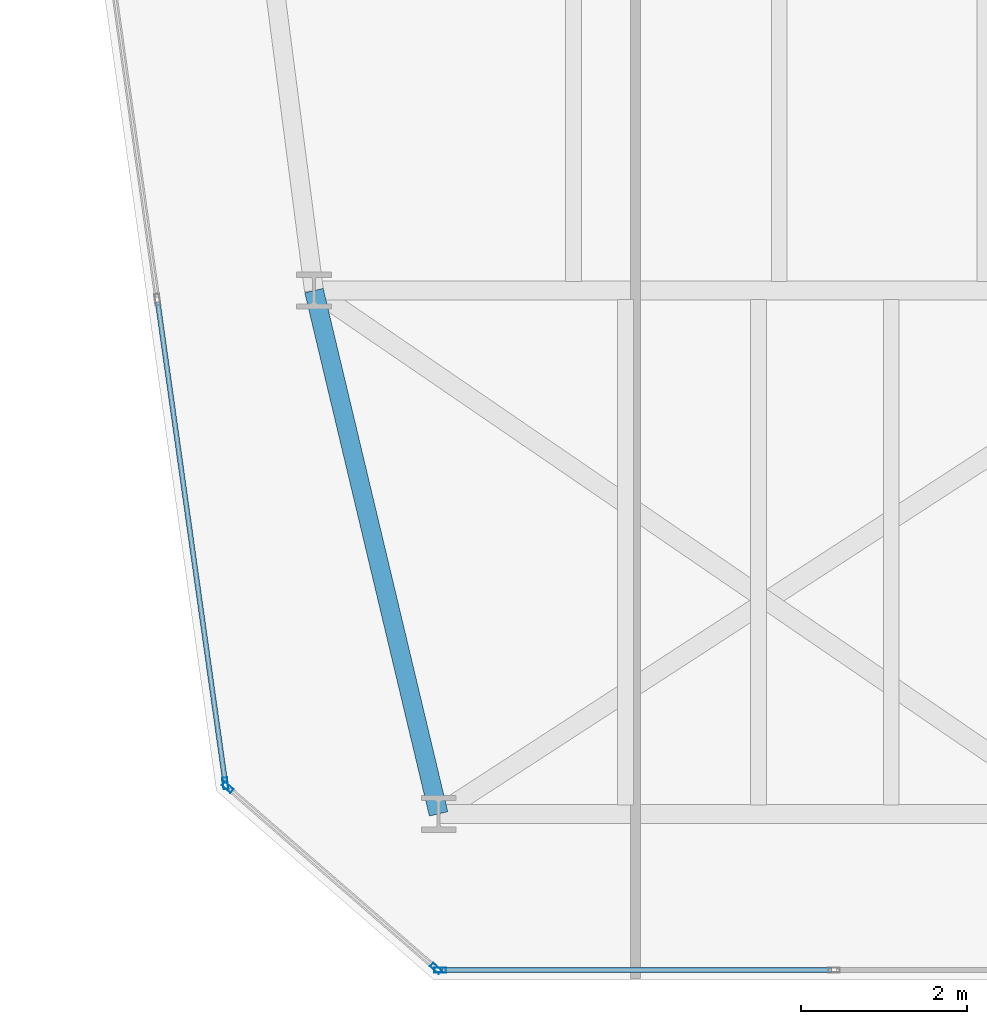
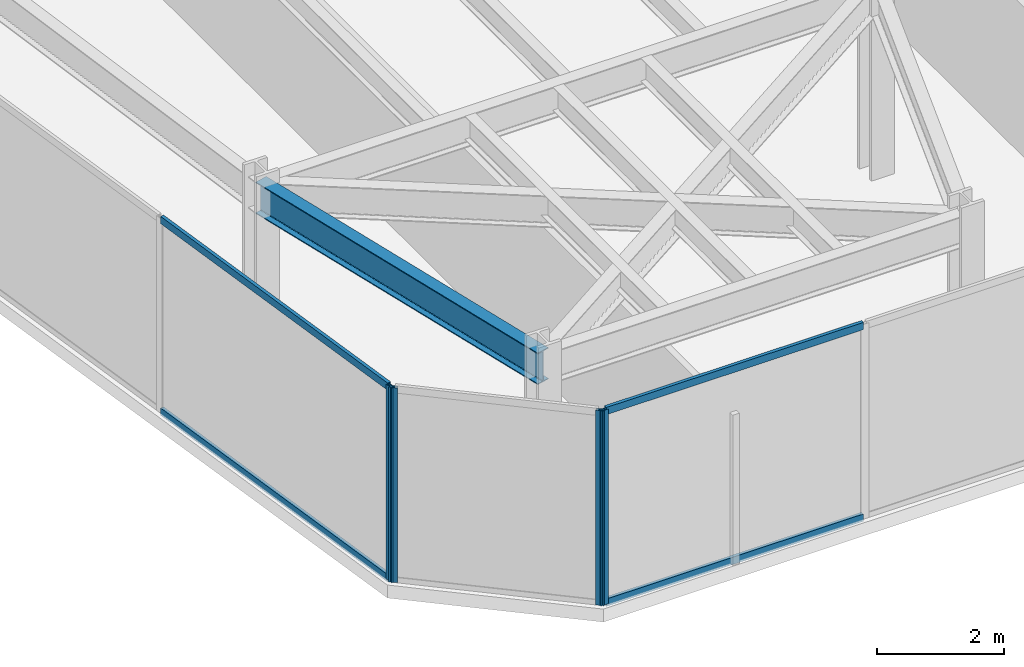
# One storey, part 2 of 26: 8 members, 1 beam, 3 elements without a shape of their own.
"""IFC4 building model written with IfcOpenShell, lengths in metres."""

from ifc_helpers import new_model, si_unit, direction, frame, origin, origin_2d, place, context, subcontext, project, spatial, hollow_rectangle, i_section, extrude, material, layer, layer_set, material_profile, profile_set, type_object, element, aggregate, save


model = new_model("IFC4")

# Units and contexts
model_context = context("Model", 3, precision=1e-05, world=origin(), true_north=direction((0.0, 1.0)))
body_context = subcontext(model_context, "Body", "Model", "MODEL_VIEW")
ifc_project = project(units=[si_unit("LENGTHUNIT", "METRE"), si_unit("AREAUNIT", "SQUARE_METRE"), si_unit("VOLUMEUNIT", "CUBIC_METRE"), si_unit("PLANEANGLEUNIT", "RADIAN"), si_unit("MASSUNIT", "GRAM", prefix="KILO")], contexts=[model_context])

# Site, building, storey
site_placement = place(None, origin())
site = spatial("IfcSite", under=ifc_project, at=site_placement, CompositionType="ELEMENT")
building_placement = place(site_placement, origin())
building = spatial("IfcBuilding", under=site, at=building_placement, Name="Kravanh Interchange Tower", CompositionType="ELEMENT")
storey_placement = place(building_placement, frame((0.0, 0.0, 132.0)))
storey = spatial("IfcBuildingStorey", under=building, at=storey_placement, Name="L31", CompositionType="ELEMENT", Elevation=132.0)

# Curtain wall, member
ifc_material_1 = material(Name="Anodised Bronze Aluminium", Category="aluminium")
ifc_layer = layer(ifc_material_1, 0.179931640625)
ifc_layer_set = layer_set([ifc_layer], Name="Unitised Curtain Wall System CW-Z2 Mid Office")
curtain_wall_type = type_object("IfcCurtainWallType", Name="Unitised Curtain Wall System CW-Z2 Mid Office", PredefinedType="NOTDEFINED", material=ifc_layer_set)
curtain_wall_1_placement = place(storey_placement, origin())
curtain_wall_1 = element("IfcCurtainWall", 1, at=curtain_wall_1_placement, inside=storey, type_object=curtain_wall_type, Name="L31 Unitised Curtain Wall CW-L31-01", PredefinedType="NOTDEFINED")
ifc_material_2 = material(Name="Anodised Bronze Aluminium", Category="aluminium")
ifc_material_profile_1 = material_profile(ifc_material_2, hollow_rectangle(XDim=0.06005859375, YDim=0.139892578125, WallThickness=0.00390625, at=origin_2d()), Name="ALU60X140X4")
ifc_profile_set_1 = profile_set([ifc_material_profile_1], Name="Anodised Bronze Aluminium")
member_type_1 = type_object("IfcMemberType", Name="Curtain Wall Mullion ALU60X140X4 Bronze", PredefinedType="MULLION", material=ifc_profile_set_1)
member_1_placement = place(storey_placement, frame((14.93310546875, 8.568359375, 0.0), z_axis=(0.0, 0.0, 1.0), x_axis=(-0.990268103846, -0.13917285118, 0.0)))
member_1 = element("IfcMember", 2, at=member_1_placement, type_object=member_type_1, Name="CW-Z2 mullion 1", PredefinedType="MULLION", context=body_context, shape_type="SweptSolid", body=[
    extrude(hollow_rectangle(XDim=0.06005859375, YDim=0.139892578125, WallThickness=0.00390625, at=origin_2d()), origin(), (0.0, 0.0, 1.0), 3.75),
])

curtain_wall_2_placement = place(storey_placement, origin())
curtain_wall_2 = element("IfcCurtainWall", 3, at=curtain_wall_2_placement, inside=storey, type_object=curtain_wall_type, Name="L31 Unitised Curtain Wall CW-L31-06", PredefinedType="NOTDEFINED")
member_2_placement = place(storey_placement, frame((17.519775390625, 6.320068359375, 0.0), z_axis=(0.0, 0.0, 1.0), x_axis=(0.0, -1.0, 0.0)))
member_2 = element("IfcMember", 4, at=member_2_placement, type_object=member_type_1, Name="CW-Z2 mullion 3", PredefinedType="MULLION", context=body_context, shape_type="SweptSolid", body=[
    extrude(hollow_rectangle(XDim=0.06005859375, YDim=0.139892578125, WallThickness=0.00390625, at=origin_2d()), origin(), (0.0, 0.0, 1.0), 3.75),
])

# Curtain wall, members
curtain_wall_3_placement = place(storey_placement, origin())
curtain_wall_3 = element("IfcCurtainWall", 5, at=curtain_wall_3_placement, inside=storey, type_object=curtain_wall_type, Name="L31 Unitised Curtain Wall CW-L31-07", PredefinedType="NOTDEFINED")
member_3_placement = place(storey_placement, frame((17.467041015625, 6.339599609375, 0.0), z_axis=(0.0, 0.0, 1.0), x_axis=(-0.656047665617, -0.754719458103, 0.0)))
member_3 = element("IfcMember", 6, at=member_3_placement, type_object=member_type_1, Name="CW-Z2 mullion 1", PredefinedType="MULLION", context=body_context, shape_type="SweptSolid", body=[
    extrude(hollow_rectangle(XDim=0.06005859375, YDim=0.139892578125, WallThickness=0.00390625, at=origin_2d()), origin(), (0.0, 0.0, 1.0), 3.75),
])
member_4_placement = place(storey_placement, frame((14.9599609375, 8.51904296875, 0.0), z_axis=(0.0, 0.0, 1.0), x_axis=(-0.656047665617, -0.754719458103, 0.0)))
member_4 = element("IfcMember", 7, at=member_4_placement, type_object=member_type_1, Name="CW-Z2 mullion 2", PredefinedType="MULLION", context=body_context, shape_type="SweptSolid", body=[
    extrude(hollow_rectangle(XDim=0.06005859375, YDim=0.139892578125, WallThickness=0.00390625, at=origin_2d()), origin(), (0.0, 0.0, 1.0), 3.75),
])
aggregate(curtain_wall_3, [member_3, member_4])

# Member
ifc_material_3 = material(Name="Anodised Bronze Aluminium", Category="aluminium")
ifc_material_profile_2 = material_profile(ifc_material_3, hollow_rectangle(XDim=0.06005859375, YDim=0.139892578125, WallThickness=0.00390625, at=origin_2d()), Name="ALU60X140X4")
ifc_profile_set_2 = profile_set([ifc_material_profile_2], Name="Anodised Bronze Aluminium")
member_type_2 = type_object("IfcMemberType", Name="Curtain Wall Transom ALU60X140X4 Bronze", PredefinedType="USERDEFINED", material=ifc_profile_set_2)
member_5_placement = place(storey_placement, frame((14.928955078125, 8.59814453125, 0.030029296875), z_axis=(-0.139148132783, 0.990271577469, 0.0), x_axis=(-0.990271577469, -0.139148132783, 0.0)))
member_5 = element("IfcMember", 8, at=member_5_placement, type_object=member_type_2, Name="CW-Z2 transom 1.1", ObjectType="TRANSOM", PredefinedType="USERDEFINED", context=body_context, shape_type="SweptSolid", body=[
    extrude(hollow_rectangle(XDim=0.06005859375, YDim=0.139892578125, WallThickness=0.00390625, at=origin_2d()), origin(), (0.0, 0.0, 1.0), 5.81982421875),
])

member_6_placement = place(storey_placement, frame((14.928955078125, 8.59814453125, 3.719970703125), z_axis=(-0.139148132783, 0.990271577469, 0.0), x_axis=(-0.990271577469, -0.139148132783, 0.0)))
member_6 = element("IfcMember", 9, at=member_6_placement, type_object=member_type_2, Name="CW-Z2 transom 1.2", ObjectType="TRANSOM", PredefinedType="USERDEFINED", context=body_context, shape_type="SweptSolid", body=[
    extrude(hollow_rectangle(XDim=0.06005859375, YDim=0.139892578125, WallThickness=0.00390625, at=origin_2d()), origin(), (0.0, 0.0, 1.0), 5.81982421875),
])

aggregate(curtain_wall_1, [member_1, member_5, member_6])

member_7_placement = place(storey_placement, frame((22.232177734375, 6.320068359375, 0.030029296875), z_axis=(-1.0, 0.0, 0.0), x_axis=(0.0, -1.0, 0.0)))
member_7 = element("IfcMember", 10, at=member_7_placement, type_object=member_type_2, Name="CW-Z2 transom 2.1", ObjectType="TRANSOM", PredefinedType="USERDEFINED", context=body_context, shape_type="SweptSolid", body=[
    extrude(hollow_rectangle(XDim=0.06005859375, YDim=0.139892578125, WallThickness=0.00390625, at=origin_2d()), origin(), (0.0, 0.0, 1.0), 4.682373046875),
])

member_8_placement = place(storey_placement, frame((22.232177734375, 6.320068359375, 3.719970703125), z_axis=(-1.0, 0.0, 0.0), x_axis=(0.0, -1.0, 0.0)))
member_8 = element("IfcMember", 11, at=member_8_placement, type_object=member_type_2, Name="CW-Z2 transom 2.2", ObjectType="TRANSOM", PredefinedType="USERDEFINED", context=body_context, shape_type="SweptSolid", body=[
    extrude(hollow_rectangle(XDim=0.06005859375, YDim=0.139892578125, WallThickness=0.00390625, at=origin_2d()), origin(), (0.0, 0.0, 1.0), 4.682373046875),
])

aggregate(curtain_wall_2, [member_2, member_7, member_8])

# Beam
ifc_material_4 = material(Name="Structural Steel S355", Category="steel")
ifc_material_profile_3 = material_profile(ifc_material_4, i_section(OverallWidth=0.22802734375, OverallDepth=0.60791015625, WebThickness=0.01123046875, FlangeThickness=0.017333984375, FilletRadius=0.02197265625, at=origin_2d()), Name="W24X76")
ifc_profile_set_3 = profile_set([ifc_material_profile_3], Name="Structural Steel S355")
beam_type = type_object("IfcBeamType", Name="Floor Spandrel W24X76 Structural Steel S355", PredefinedType="SPANDREL", material=ifc_profile_set_3)
beam_placement = place(storey_placement, frame((17.5, 8.199951171875, 3.446044921875), z_axis=(-0.231618828452, 0.972806619173, 0.0), x_axis=(-0.972806619173, -0.231618828452, 0.0)))
element("IfcBeam", 12, at=beam_placement, inside=storey, type_object=beam_type, Name="L31 Perimeter Spandrel 34", PredefinedType="SPANDREL", context=body_context, shape_type="SweptSolid", body=[
    extrude(i_section(OverallWidth=0.22802734375, OverallDepth=0.60791015625, WebThickness=0.01123046875, FlangeThickness=0.017333984375, FilletRadius=0.02197265625, at=origin_2d()), origin(), (0.0, 0.0, 1.0), 6.47607421875),
])

save(model, "model.ifc")
